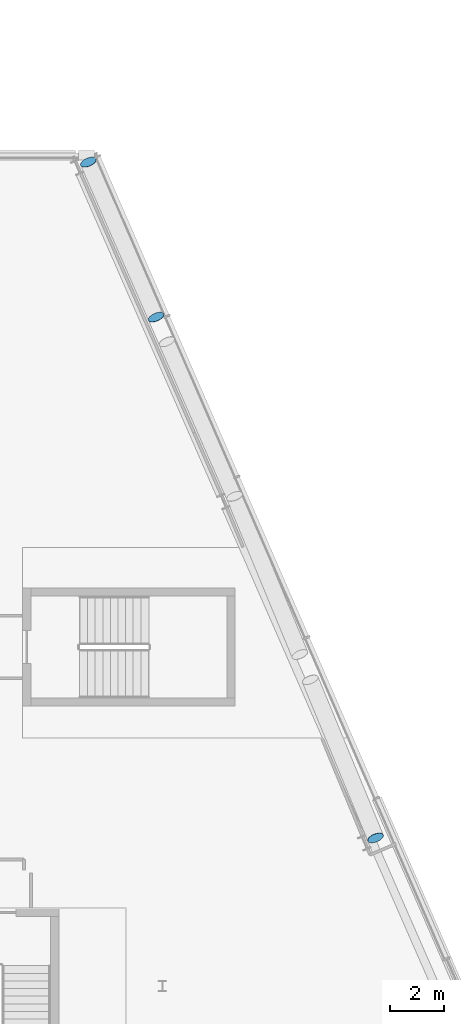
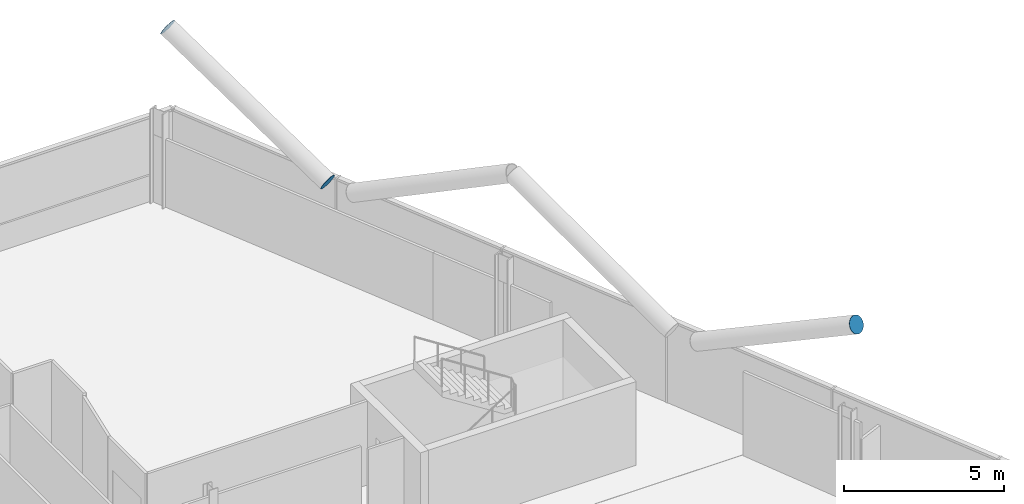
# One storey, part 23 of 26: 3 discrete accessories.
"""IFC4 building model written with IfcOpenShell, lengths in metres."""

from ifc_helpers import new_model, si_unit, direction, frame, origin, origin_2d, place, context, subcontext, project, spatial, circle, extrude, material, material_profile, profile_set, type_object, element, save


model = new_model("IFC4")

# Units and contexts
model_context = context("Model", 3, precision=1e-05, world=origin(), true_north=direction((0.0, 1.0)))
body_context = subcontext(model_context, "Body", "Model", "MODEL_VIEW")
ifc_project = project(units=[si_unit("LENGTHUNIT", "METRE"), si_unit("AREAUNIT", "SQUARE_METRE"), si_unit("VOLUMEUNIT", "CUBIC_METRE"), si_unit("PLANEANGLEUNIT", "RADIAN"), si_unit("MASSUNIT", "GRAM", prefix="KILO")], contexts=[model_context])

# Site, building, storey
site_placement = place(None, origin())
site = spatial("IfcSite", under=ifc_project, at=site_placement, CompositionType="ELEMENT")
building_placement = place(site_placement, origin())
building = spatial("IfcBuilding", under=site, at=building_placement, Name="Wharfspan Tower", CompositionType="ELEMENT")
storey_placement = place(building_placement, frame((0.0, 0.0, 235.899902)))
storey = spatial("IfcBuildingStorey", under=building, at=storey_placement, Name="L59", CompositionType="ELEMENT", Elevation=235.899902)

# Discrete accessories
ifc_material = material(Name="Steel S460NH", Category="steel")
ifc_material_profile = material_profile(ifc_material, circle(Radius=0.304932, at=origin_2d()))
ifc_profile_set = profile_set([ifc_material_profile], Name="Steel S460NH")
discrete_accessory_type = type_object("IfcDiscreteAccessoryType", Name="End plate CHS 610x25", PredefinedType="BRACKET", material=ifc_profile_set)
discrete_accessory_placement = place(storey_placement, frame((79.826904, 16.943115, 6.5), z_axis=(0.334473, -0.812291, 0.477818), x_axis=(0.924674, 0.380749, 1e-06)))
element("IfcDiscreteAccessory", 1, at=discrete_accessory_placement, inside=storey, type_object=discrete_accessory_type, Name="End plate CHS 610x25", PredefinedType="BRACKET", context=body_context, shape_type="SweptSolid", body=[
    extrude(circle(Radius=0.304932, at=origin_2d()), origin(), (0.0, 0.0, 1.0), 0.010254),
])
for number, where, z_axis, x_axis, name in (
    (2, (71.773193, 36.061523, 3.162109), (-0.345075, 0.81339, 0.468316), (-0.920586, -0.390551, -2e-06), "End plate CHS 610x25"),
    (3, (69.284424, 41.753662, 6.5), (-0.341058, 0.803922, 0.487226), (-0.920584, -0.390551, 0.0), "End plate CHS 610x25"),
):
    element("IfcDiscreteAccessory", number, at=place(storey_placement, frame(where, z_axis=z_axis, x_axis=x_axis)), inside=storey, type_object=discrete_accessory_type, Name=name, PredefinedType="BRACKET", context=body_context, shape_type="SweptSolid", body=[
        extrude(circle(Radius=0.304932, at=origin_2d()), origin(), (0.0, 0.0, 1.0), 0.01001),
    ])

save(model, "model.ifc")
